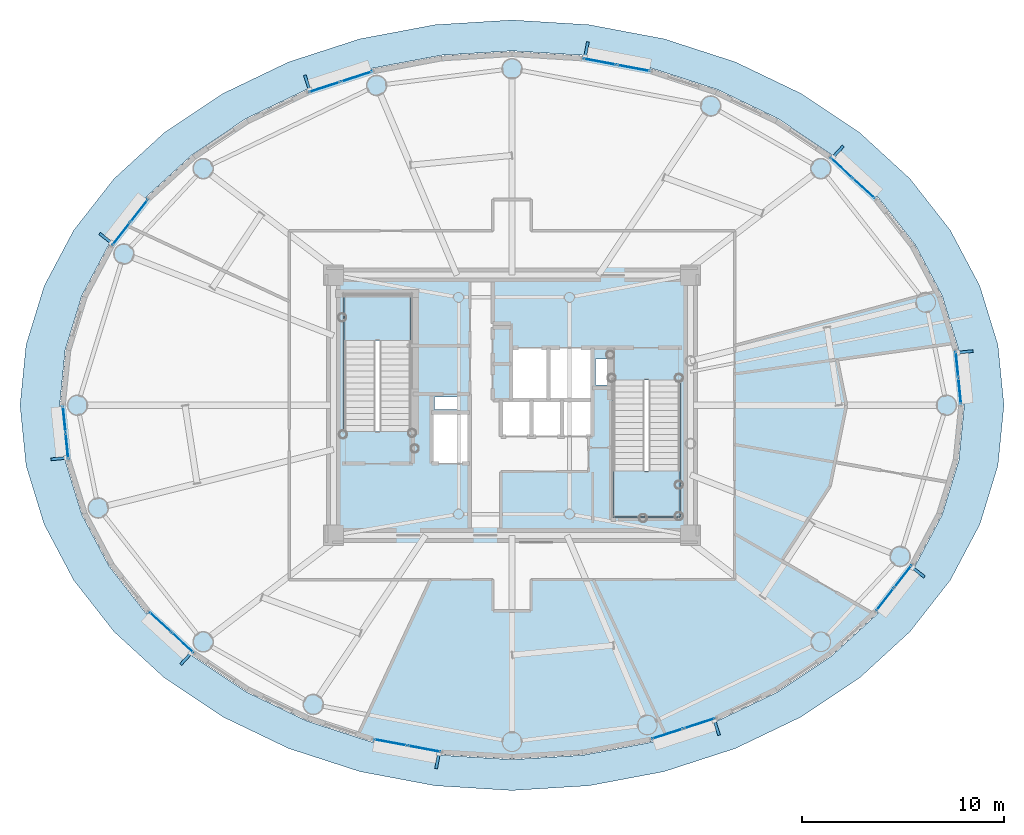
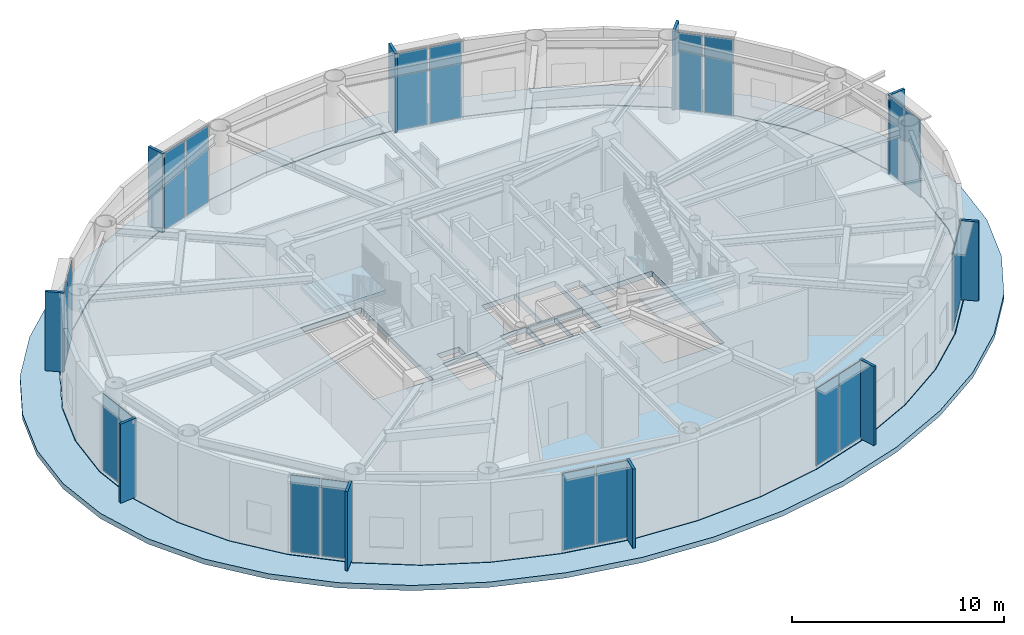
# One storey, part 20 of 32: 30 plates, 4 slabs, 12 elements without a shape of their own.
"""IFC4 building model written with IfcOpenShell, lengths in metres."""

from ifc_helpers import new_model, si_unit, direction, frame, origin, origin_2d, place, context, subcontext, project, spatial, polyline, rectangle, outline, extrude, source, transform, mapped, material, layer, layer_set, type_object, element, aggregate, save


model = new_model("IFC4")

# Units and contexts
model_context = context("Model", 3, precision=1e-05, world=origin(), true_north=direction((0.0, 1.0)))
body_context = subcontext(model_context, "Body", "Model", "MODEL_VIEW")
ifc_project = project(units=[si_unit("LENGTHUNIT", "METRE"), si_unit("AREAUNIT", "SQUARE_METRE"), si_unit("VOLUMEUNIT", "CUBIC_METRE"), si_unit("PLANEANGLEUNIT", "RADIAN"), si_unit("MASSUNIT", "GRAM", prefix="KILO")], contexts=[model_context])

# Site, building, storey
site_placement = place(None, origin())
site = spatial("IfcSite", under=ifc_project, at=site_placement, CompositionType="ELEMENT")
building_placement = place(site_placement, origin())
building = spatial("IfcBuilding", under=site, at=building_placement, Name="Linh Dai School and Residence Tower", CompositionType="ELEMENT")
storey_placement = place(building_placement, frame((0.0, 0.0, 268.199951171875)))
storey = spatial("IfcBuildingStorey", under=building, at=storey_placement, Name="L66", CompositionType="ELEMENT", Elevation=268.199951171875)

# Slabs
ifc_material_1 = material(Name="Concrete B45 (C35/45)", Category="concrete")
ifc_layer_1 = layer(ifc_material_1, 0.300048828125)
ifc_layer_set_1 = layer_set([ifc_layer_1], Name="Concrete B45 (C35/45)")
slab_type_1 = type_object("IfcSlabType", Name="SLB-FLR300", PredefinedType="FLOOR", material=ifc_layer_set_1)
slab_1_placement = place(storey_placement, frame((0.0, 0.0, -0.300048828125)))
element("IfcSlab", 1, at=slab_1_placement, inside=storey, type_object=slab_type_1, Name="L66 Composite Structural Floor Slab", PredefinedType="FLOOR", context=body_context, shape_type="SweptSolid", body=[
    extrude(outline(polyline([(58.39990234375, 27.0), (58.124267578125, 29.743896484375), (57.3037109375, 32.420166015625), (55.95849609375, 34.962890625), (54.1220703125, 37.309814453125), (51.839111328125, 39.402587890625), (49.16650390625, 41.190185546875), (46.16943359375, 42.628173828125), (42.921875, 43.681640625), (39.504150390625, 44.323974609375), (36.0, 44.5400390625), (32.495849609375, 44.323974609375), (29.078125, 43.681640625), (25.83056640625, 42.628173828125), (22.83349609375, 41.190185546875), (20.160888671875, 39.402587890625), (17.8779296875, 37.309814453125), (16.04150390625, 34.962890625), (14.6962890625, 32.420166015625), (13.875732421875, 29.743896484375), (13.60009765625, 27.0), (13.875732421875, 24.256103515625), (14.6962890625, 21.579833984375), (16.04150390625, 19.037109375), (17.8779296875, 16.690185546875), (20.160888671875, 14.597412109375), (22.83349609375, 12.809814453125), (25.83056640625, 11.371826171875), (29.078125, 10.318359375), (32.495849609375, 9.676025390625), (36.0, 9.4599609375), (39.504150390625, 9.676025390625), (42.921875, 10.318359375), (46.16943359375, 11.371826171875), (49.16650390625, 12.809814453125), (51.839111328125, 14.597412109375), (54.1220703125, 16.690185546875), (55.95849609375, 19.037109375), (57.3037109375, 21.579833984375), (58.124267578125, 24.256103515625), (58.39990234375, 27.0)]), holes=[polyline([(30.97998046875, 25.699951171875), (30.97998046875, 32.5), (27.679931640625, 32.5), (27.679931640625, 25.699951171875), (30.97998046875, 25.699951171875)]), polyline([(41.02001953125, 28.25), (41.02001953125, 21.449951171875), (44.320068359375, 21.449951171875), (44.320068359375, 28.25), (41.02001953125, 28.25)]), polyline([(35.97998046875, 27.280029296875), (37.77001953125, 27.280029296875), (37.77001953125, 29.820068359375), (35.97998046875, 29.820068359375), (35.97998046875, 27.280029296875)]), polyline([(32.030029296875, 24.1298828125), (33.8701171875, 24.1298828125), (33.8701171875, 26.6201171875), (32.030029296875, 26.6201171875), (32.030029296875, 24.1298828125)]), polyline([(37.830078125, 27.280029296875), (39.969970703125, 27.280029296875), (39.969970703125, 29.820068359375), (37.830078125, 29.820068359375), (37.830078125, 27.280029296875)]), polyline([(35.47998046875, 25.47998046875), (36.929931640625, 25.47998046875), (36.929931640625, 27.219970703125), (35.47998046875, 27.219970703125), (35.47998046875, 25.47998046875)]), polyline([(36.989990234375, 25.47998046875), (38.449951171875, 25.47998046875), (38.449951171875, 27.219970703125), (36.989990234375, 27.219970703125), (36.989990234375, 25.47998046875)]), polyline([(38.510009765625, 25.47998046875), (39.969970703125, 25.47998046875), (39.969970703125, 27.219970703125), (38.510009765625, 27.219970703125), (38.510009765625, 25.47998046875)]), polyline([(40.14990234375, 28.0), (40.14990234375, 29.300048828125), (41.0, 29.300048828125), (41.0, 28.280029296875), (40.989990234375, 28.280029296875), (40.989990234375, 28.0), (40.14990234375, 28.0)]), polyline([(32.14990234375, 26.800048828125), (33.35009765625, 26.800048828125), (33.35009765625, 27.39990234375), (32.14990234375, 27.39990234375), (32.14990234375, 26.800048828125)])]), origin(), (0.0, 0.0, 1.0), 0.300048828125),
])
ifc_layer_2 = layer(ifc_material_1, 0.300048828125)
ifc_layer_set_2 = layer_set([ifc_layer_2], Name="Concrete B45 (C35/45)")
slab_type_2 = type_object("IfcSlabType", Name="SLB-ROOF300", PredefinedType="ROOF", material=ifc_layer_set_2)
slab_2_placement = place(storey_placement, frame((0.0, 0.0, -0.300048828125)))
element("IfcSlab", 2, at=slab_2_placement, inside=storey, type_object=slab_type_2, Name="L66 Setback Step Insulated Roof Slab", PredefinedType="ROOF", context=body_context, shape_type="SweptSolid", body=[
    extrude(outline(polyline([(60.39990234375, 27.0), (60.099609375, 29.98876953125), (59.205810546875, 32.90380859375), (57.740478515625, 35.673583984375), (55.739990234375, 38.229736328125), (53.25341796875, 40.50927734375), (50.342041015625, 42.456298828125), (47.077392578125, 44.022705078125), (43.5400390625, 45.169921875), (39.81689453125, 45.869873046875), (36.0, 46.10498046875), (32.18310546875, 45.869873046875), (28.4599609375, 45.169921875), (24.922607421875, 44.022705078125), (21.657958984375, 42.456298828125), (18.74658203125, 40.50927734375), (16.260009765625, 38.229736328125), (14.259521484375, 35.673583984375), (12.794189453125, 32.90380859375), (11.900390625, 29.98876953125), (11.60009765625, 27.0), (11.900390625, 24.01123046875), (12.794189453125, 21.09619140625), (14.259521484375, 18.326416015625), (16.260009765625, 15.770263671875), (18.74658203125, 13.49072265625), (21.657958984375, 11.543701171875), (24.922607421875, 9.977294921875), (28.4599609375, 8.830078125), (32.18310546875, 8.130126953125), (36.0, 7.89501953125), (39.81689453125, 8.130126953125), (43.5400390625, 8.830078125), (47.077392578125, 9.977294921875), (50.342041015625, 11.543701171875), (53.25341796875, 13.49072265625), (55.739990234375, 15.770263671875), (57.740478515625, 18.326416015625), (59.205810546875, 21.09619140625), (60.099609375, 24.01123046875), (60.39990234375, 27.0)]), holes=[polyline([(58.429931640625, 27.0), (58.15380859375, 29.74853515625), (57.332275390625, 32.429443359375), (55.9853515625, 34.9765625), (54.146240234375, 37.327392578125), (51.8603515625, 39.423828125), (49.18408203125, 41.21435546875), (46.18310546875, 42.655029296875), (42.93115234375, 43.7099609375), (39.5087890625, 44.353759765625), (36.0, 44.570068359375), (32.4912109375, 44.353759765625), (29.06884765625, 43.7099609375), (25.81689453125, 42.655029296875), (22.81591796875, 41.21435546875), (20.1396484375, 39.423828125), (17.853759765625, 37.327392578125), (16.0146484375, 34.9765625), (14.667724609375, 32.429443359375), (13.84619140625, 29.74853515625), (13.570068359375, 27.0), (13.84619140625, 24.25146484375), (14.667724609375, 21.570556640625), (16.0146484375, 19.0234375), (17.853759765625, 16.672607421875), (20.1396484375, 14.576171875), (22.81591796875, 12.78564453125), (25.81689453125, 11.344970703125), (29.06884765625, 10.2900390625), (32.4912109375, 9.646240234375), (36.0, 9.429931640625), (39.5087890625, 9.646240234375), (42.93115234375, 10.2900390625), (46.18310546875, 11.344970703125), (49.18408203125, 12.78564453125), (51.8603515625, 14.576171875), (54.146240234375, 16.672607421875), (55.9853515625, 19.0234375), (57.332275390625, 21.570556640625), (58.15380859375, 24.25146484375), (58.429931640625, 27.0)])]), origin(), (0.0, 0.0, 1.0), 0.300048828125),
])

# Stair, slab
stair_type = type_object("IfcStairType", Name="ST-DOG-1550-R1500", PredefinedType="HALF_TURN_STAIR", material=ifc_material_1)
stair_1_placement = place(storey_placement, origin())
stair_1 = element("IfcStair", 3, at=stair_1_placement, inside=storey, type_object=stair_type, Name="L66 Core Smokeproof Exit Stair ST1", PredefinedType="HALF_TURN_STAIR")
ifc_layer_3 = layer(ifc_material_1, 0.199951171875)
ifc_layer_set_3 = layer_set([ifc_layer_3], Name="Concrete B45 (C35/45)")
slab_type_3 = type_object("IfcSlabType", Name="SLB-ST-LANDING-200", PredefinedType="LANDING", material=ifc_layer_set_3)
slab_3_placement = place(storey_placement, frame((0.0, 0.0, 2.199951171875)))
slab_3 = element("IfcSlab", 4, at=slab_3_placement, type_object=slab_type_3, Name="ST1 landing 1", PredefinedType="LANDING", context=body_context, shape_type="SweptSolid", body=[
    extrude(outline(polyline([(30.97998046875, 30.199951171875), (30.97998046875, 32.5), (27.679931640625, 32.5), (27.679931640625, 30.199951171875), (30.97998046875, 30.199951171875)])), origin(), (0.0, 0.0, 1.0), 0.2001953125),
])
aggregate(stair_1, [slab_3])

stair_2_placement = place(storey_placement, origin())
stair_2 = element("IfcStair", 5, at=stair_2_placement, inside=storey, type_object=stair_type, Name="L66 Core Smokeproof Exit Stair ST2", PredefinedType="HALF_TURN_STAIR")
slab_4_placement = place(storey_placement, frame((0.0, 0.0, 2.199951171875)))
slab_4 = element("IfcSlab", 6, at=slab_4_placement, type_object=slab_type_3, Name="ST2 landing 1", PredefinedType="LANDING", context=body_context, shape_type="SweptSolid", body=[
    extrude(outline(polyline([(41.02001953125, 23.75), (41.02001953125, 21.449951171875), (44.320068359375, 21.449951171875), (44.320068359375, 23.75), (41.02001953125, 23.75)])), origin(), (0.0, 0.0, 1.0), 0.2001953125),
])
aggregate(stair_2, [slab_4])

# Plates
ifc_material_2 = material(Name="Precast Concrete B45 (C35/45)", Category="concrete")
ifc_layer_4 = layer(ifc_material_2, 0.139892578125)
ifc_layer_set_4 = layer_set([ifc_layer_4], Name="Precast Concrete B45 (C35/45)")
plate_type_1 = type_object("IfcPlateType", Name="FIN-TC-900x140", PredefinedType="USERDEFINED", material=ifc_layer_set_4)
shared_shape_1 = source(origin(), body_context, "Body", "SweptSolid", [
    extrude(rectangle(XDim=0.89990234375, YDim=0.139892578125, at=origin_2d()), origin(), (0.0, 0.0, 1.0), 4.550048828125),
])
for number, where, z_axis, x_axis, name in (
    (7, (58.421630859375, 29.640625, 0.0), (0.0, 0.0, 1.0), (0.994986629598, 0.100008034283, 0.0), "L66 Precast Terracotta Radial Fin 01"),
    (8, (52.127685546875, 39.525390625, 0.0), (0.0, 0.0, 1.0), (0.67577730889, 0.737105846394, 0.0), "L66 Precast Terracotta Radial Fin 05"),
    (9, (39.682373046875, 44.580810546875, 0.0), (0.0, 0.0, 1.0), (0.184751197452, 0.982785325002, 0.0), "L66 Precast Terracotta Radial Fin 09"),
    (10, (25.864501953125, 42.939208984375, 0.0), (0.0, 0.0, 1.0), (-0.308518805176, 0.951218243545, 0.0), "L66 Precast Terracotta Radial Fin 13"),
    (11, (15.897216796875, 35.241943359375, 0.0), (0.0, 0.0, 1.0), (-0.78750300393, 0.616310813471, 0.0), "L66 Precast Terracotta Radial Fin 17"),
    (12, (13.578369140625, 24.359375, 0.0), (0.0, 0.0, 1.0), (-0.994986629598, -0.100008034283, 0.0), "L66 Precast Terracotta Radial Fin 21"),
    (13, (19.872314453125, 14.474609375, 0.0), (0.0, 0.0, 1.0), (-0.675779074535, -0.737104227651, 0.0), "L66 Precast Terracotta Radial Fin 25"),
    (14, (32.317626953125, 9.419189453125, 0.0), (0.0, 0.0, 1.0), (-0.184751197452, -0.982785325002, 0.0), "L66 Precast Terracotta Radial Fin 29"),
    (15, (46.135498046875, 11.060791015625, 0.0), (0.0, 0.0, 1.0), (0.308518805176, -0.951218243545, 0.0), "L66 Precast Terracotta Radial Fin 33"),
    (16, (56.102783203125, 18.758056640625, 0.0), (0.0, 0.0, 1.0), (0.78750300393, -0.616310813471, 0.0), "L66 Precast Terracotta Radial Fin 37"),
):
    element("IfcPlate", number, at=place(storey_placement, frame(where, z_axis=z_axis, x_axis=x_axis)), inside=storey, type_object=plate_type_1, Name=name, ObjectType="RADIAL FIN", PredefinedType="USERDEFINED", context=body_context, shape_type="MappedRepresentation", body=[
        mapped(shared_shape_1, transform((0.0, 0.0, 0.0), x_axis=(1.0, 0.0, 0.0), y_axis=(0.0, 1.0, 0.0), z_axis=(0.0, 0.0, 1.0), scale=1.0)),
    ])

# Curtain wall, plates
ifc_material_3 = material(Name="Aluminium Anodised Curtain Wall", Category="aluminium")
ifc_layer_5 = layer(ifc_material_3, 0.18994140625)
ifc_layer_set_5 = layer_set([ifc_layer_5], Name="Aluminium Anodised Curtain Wall")
curtain_wall_type = type_object("IfcCurtainWallType", Name="CW-SYS-5", PredefinedType="USERDEFINED", material=ifc_layer_set_5)
curtain_wall_1_placement = place(storey_placement, origin())
curtain_wall_1 = element("IfcCurtainWall", 17, at=curtain_wall_1_placement, inside=storey, type_object=curtain_wall_type, Name="L66 CW5 Curtain Wall 01", ObjectType="UNITISED CURTAIN WALL", PredefinedType="USERDEFINED")
ifc_material_4 = material(Name="Double Low-E Insulated Glazing", Category="glass")
ifc_layer_6 = layer(ifc_material_4, 0.033935546875)
ifc_layer_set_6 = layer_set([ifc_layer_6], Name="Double Low-E Insulated Glazing")
plate_type_2 = type_object("IfcPlateType", Name="CW-SYS-5-PAN", PredefinedType="CURTAIN_PANEL", material=ifc_layer_set_6)
shared_shape_2 = source(origin(), body_context, "Body", "SweptSolid", [
    extrude(rectangle(XDim=1.261474609375, YDim=0.033935546875, at=origin_2d()), origin(), (0.0, 0.0, 1.0), 4.409912109375),
])
plate_1_placement = place(storey_placement, frame((58.07177734375, 29.02197265625, 0.0703125), z_axis=(0.0, 0.0, 1.0), x_axis=(0.100008034283, -0.994986629598, 0.0)))
plate_1 = element("IfcPlate", 18, at=plate_1_placement, type_object=plate_type_2, Name="CW5 panel 1.1", PredefinedType="CURTAIN_PANEL", context=body_context, shape_type="MappedRepresentation", body=[
    mapped(shared_shape_2, transform((0.0, 0.0, 0.0), x_axis=(1.0, 0.0, 0.0), y_axis=(0.0, 1.0, 0.0), z_axis=(0.0, 0.0, 1.0), scale=1.0)),
])
plate_2_placement = place(storey_placement, frame((58.204833984375, 27.697265625, 0.0703125), z_axis=(0.0, 0.0, 1.0), x_axis=(0.100008034283, -0.994986629598, 0.0)))
plate_2 = element("IfcPlate", 19, at=plate_2_placement, type_object=plate_type_2, Name="CW5 panel 2.1", PredefinedType="CURTAIN_PANEL", context=body_context, shape_type="MappedRepresentation", body=[
    mapped(shared_shape_2, transform((0.0, 0.0, 0.0), x_axis=(1.0, 0.0, 0.0), y_axis=(0.0, 1.0, 0.0), z_axis=(0.0, 0.0, 1.0), scale=1.0)),
])
aggregate(curtain_wall_1, [plate_1, plate_2])

curtain_wall_2_placement = place(storey_placement, origin())
curtain_wall_2 = element("IfcCurtainWall", 20, at=curtain_wall_2_placement, inside=storey, type_object=curtain_wall_type, Name="L66 CW5 Curtain Wall 21", ObjectType="UNITISED CURTAIN WALL", PredefinedType="USERDEFINED")
plate_3_placement = place(storey_placement, frame((13.92822265625, 24.97802734375, 0.0703125), z_axis=(0.0, 0.0, 1.0), x_axis=(-0.100008034283, 0.994986629598, 0.0)))
plate_3 = element("IfcPlate", 21, at=plate_3_placement, type_object=plate_type_2, Name="CW5 panel 1.1", PredefinedType="CURTAIN_PANEL", context=body_context, shape_type="MappedRepresentation", body=[
    mapped(shared_shape_2, transform((0.0, 0.0, 0.0), x_axis=(1.0, 0.0, 0.0), y_axis=(0.0, 1.0, 0.0), z_axis=(0.0, 0.0, 1.0), scale=1.0)),
])
plate_4_placement = place(storey_placement, frame((13.795166015625, 26.302734375, 0.0703125), z_axis=(0.0, 0.0, 1.0), x_axis=(-0.100008034283, 0.994986629598, 0.0)))
plate_4 = element("IfcPlate", 22, at=plate_4_placement, type_object=plate_type_2, Name="CW5 panel 2.1", PredefinedType="CURTAIN_PANEL", context=body_context, shape_type="MappedRepresentation", body=[
    mapped(shared_shape_2, transform((0.0, 0.0, 0.0), x_axis=(1.0, 0.0, 0.0), y_axis=(0.0, 1.0, 0.0), z_axis=(0.0, 0.0, 1.0), scale=1.0)),
])
aggregate(curtain_wall_2, [plate_3, plate_4])

curtain_wall_3_placement = place(storey_placement, origin())
curtain_wall_3 = element("IfcCurtainWall", 23, at=curtain_wall_3_placement, inside=storey, type_object=curtain_wall_type, Name="L66 CW5 Curtain Wall 05", ObjectType="UNITISED CURTAIN WALL", PredefinedType="USERDEFINED")
shared_shape_3 = source(origin(), body_context, "Body", "SweptSolid", [
    extrude(rectangle(XDim=1.43359375, YDim=0.033935546875, at=origin_2d()), origin(), (0.0, 0.0, 1.0), 4.409912109375),
])
plate_5_placement = place(storey_placement, frame((52.342041015625, 38.7724609375, 0.0703125), z_axis=(0.0, 0.0, 1.0), x_axis=(0.737105846394, -0.67577730889, 0.0)))
plate_5 = element("IfcPlate", 24, at=plate_5_placement, type_object=plate_type_2, Name="CW5 panel 1.1", PredefinedType="CURTAIN_PANEL", context=body_context, shape_type="MappedRepresentation", body=[
    mapped(shared_shape_3, transform((0.0, 0.0, 0.0), x_axis=(1.0, 0.0, 0.0), y_axis=(0.0, 1.0, 0.0), z_axis=(0.0, 0.0, 1.0), scale=1.0)),
])
plate_6_placement = place(storey_placement, frame((53.450439453125, 37.75634765625, 0.0703125), z_axis=(0.0, 0.0, 1.0), x_axis=(0.737105846394, -0.67577730889, 0.0)))
plate_6 = element("IfcPlate", 25, at=plate_6_placement, type_object=plate_type_2, Name="CW5 panel 2.1", PredefinedType="CURTAIN_PANEL", context=body_context, shape_type="MappedRepresentation", body=[
    mapped(shared_shape_3, transform((0.0, 0.0, 0.0), x_axis=(1.0, 0.0, 0.0), y_axis=(0.0, 1.0, 0.0), z_axis=(0.0, 0.0, 1.0), scale=1.0)),
])
aggregate(curtain_wall_3, [plate_5, plate_6])

curtain_wall_4_placement = place(storey_placement, origin())
curtain_wall_4 = element("IfcCurtainWall", 26, at=curtain_wall_4_placement, inside=storey, type_object=curtain_wall_type, Name="L66 CW5 Curtain Wall 25", ObjectType="UNITISED CURTAIN WALL", PredefinedType="USERDEFINED")
plate_7_placement = place(storey_placement, frame((19.657958984375, 15.2275390625, 0.0703125), z_axis=(0.0, 0.0, 1.0), x_axis=(-0.737104227651, 0.675779074535, 0.0)))
plate_7 = element("IfcPlate", 27, at=plate_7_placement, type_object=plate_type_2, Name="CW5 panel 1.1", PredefinedType="CURTAIN_PANEL", context=body_context, shape_type="MappedRepresentation", body=[
    mapped(shared_shape_3, transform((0.0, 0.0, 0.0), x_axis=(1.0, 0.0, 0.0), y_axis=(0.0, 1.0, 0.0), z_axis=(0.0, 0.0, 1.0), scale=1.0)),
])
plate_8_placement = place(storey_placement, frame((18.549560546875, 16.24365234375, 0.0703125), z_axis=(0.0, 0.0, 1.0), x_axis=(-0.737104227651, 0.675779074535, 0.0)))
plate_8 = element("IfcPlate", 28, at=plate_8_placement, type_object=plate_type_2, Name="CW5 panel 2.1", PredefinedType="CURTAIN_PANEL", context=body_context, shape_type="MappedRepresentation", body=[
    mapped(shared_shape_3, transform((0.0, 0.0, 0.0), x_axis=(1.0, 0.0, 0.0), y_axis=(0.0, 1.0, 0.0), z_axis=(0.0, 0.0, 1.0), scale=1.0)),
])
aggregate(curtain_wall_4, [plate_7, plate_8])

curtain_wall_5_placement = place(storey_placement, origin())
curtain_wall_5 = element("IfcCurtainWall", 29, at=curtain_wall_5_placement, inside=storey, type_object=curtain_wall_type, Name="L66 CW5 Curtain Wall 09", ObjectType="UNITISED CURTAIN WALL", PredefinedType="USERDEFINED")
shared_shape_4 = source(origin(), body_context, "Body", "SweptSolid", [
    extrude(rectangle(XDim=1.6259765625, YDim=0.033935546875, at=origin_2d()), origin(), (0.0, 0.0, 1.0), 4.409912109375),
])
plate_9_placement = place(storey_placement, frame((40.3564453125, 44.036865234375, 0.0703125), z_axis=(0.0, 0.0, 1.0), x_axis=(0.982785325002, -0.184751197452, 0.0)))
plate_9 = element("IfcPlate", 30, at=plate_9_placement, type_object=plate_type_2, Name="CW5 panel 1.1", PredefinedType="CURTAIN_PANEL", context=body_context, shape_type="MappedRepresentation", body=[
    mapped(shared_shape_4, transform((0.0, 0.0, 0.0), x_axis=(1.0, 0.0, 0.0), y_axis=(0.0, 1.0, 0.0), z_axis=(0.0, 0.0, 1.0), scale=1.0)),
])
plate_10_placement = place(storey_placement, frame((42.0234375, 43.7236328125, 0.0703125), z_axis=(0.0, 0.0, 1.0), x_axis=(0.982785325002, -0.184751197452, 0.0)))
plate_10 = element("IfcPlate", 31, at=plate_10_placement, type_object=plate_type_2, Name="CW5 panel 2.1", PredefinedType="CURTAIN_PANEL", context=body_context, shape_type="MappedRepresentation", body=[
    mapped(shared_shape_4, transform((0.0, 0.0, 0.0), x_axis=(1.0, 0.0, 0.0), y_axis=(0.0, 1.0, 0.0), z_axis=(0.0, 0.0, 1.0), scale=1.0)),
])
aggregate(curtain_wall_5, [plate_9, plate_10])

curtain_wall_6_placement = place(storey_placement, origin())
curtain_wall_6 = element("IfcCurtainWall", 32, at=curtain_wall_6_placement, inside=storey, type_object=curtain_wall_type, Name="L66 CW5 Curtain Wall 29", ObjectType="UNITISED CURTAIN WALL", PredefinedType="USERDEFINED")
plate_11_placement = place(storey_placement, frame((31.6435546875, 9.963134765625, 0.0703125), z_axis=(0.0, 0.0, 1.0), x_axis=(-0.982785325002, 0.184751197452, 0.0)))
plate_11 = element("IfcPlate", 33, at=plate_11_placement, type_object=plate_type_2, Name="CW5 panel 1.1", PredefinedType="CURTAIN_PANEL", context=body_context, shape_type="MappedRepresentation", body=[
    mapped(shared_shape_4, transform((0.0, 0.0, 0.0), x_axis=(1.0, 0.0, 0.0), y_axis=(0.0, 1.0, 0.0), z_axis=(0.0, 0.0, 1.0), scale=1.0)),
])
plate_12_placement = place(storey_placement, frame((29.9765625, 10.2763671875, 0.0703125), z_axis=(0.0, 0.0, 1.0), x_axis=(-0.982785325002, 0.184751197452, 0.0)))
plate_12 = element("IfcPlate", 34, at=plate_12_placement, type_object=plate_type_2, Name="CW5 panel 2.1", PredefinedType="CURTAIN_PANEL", context=body_context, shape_type="MappedRepresentation", body=[
    mapped(shared_shape_4, transform((0.0, 0.0, 0.0), x_axis=(1.0, 0.0, 0.0), y_axis=(0.0, 1.0, 0.0), z_axis=(0.0, 0.0, 1.0), scale=1.0)),
])
aggregate(curtain_wall_6, [plate_11, plate_12])

curtain_wall_7_placement = place(storey_placement, origin())
curtain_wall_7 = element("IfcCurtainWall", 35, at=curtain_wall_7_placement, inside=storey, type_object=curtain_wall_type, Name="L66 CW5 Curtain Wall 13", ObjectType="UNITISED CURTAIN WALL", PredefinedType="USERDEFINED")
shared_shape_5 = source(origin(), body_context, "Body", "SweptSolid", [
    extrude(rectangle(XDim=1.59375, YDim=0.033935546875, at=origin_2d()), origin(), (0.0, 0.0, 1.0), 4.409912109375),
])
plate_13_placement = place(storey_placement, frame((26.70166015625, 42.779541015625, 0.0703125), z_axis=(0.0, 0.0, 1.0), x_axis=(0.951218243545, 0.308518805176, 0.0)))
plate_13 = element("IfcPlate", 36, at=plate_13_placement, type_object=plate_type_2, Name="CW5 panel 1.1", PredefinedType="CURTAIN_PANEL", context=body_context, shape_type="MappedRepresentation", body=[
    mapped(shared_shape_5, transform((0.0, 0.0, 0.0), x_axis=(1.0, 0.0, 0.0), y_axis=(0.0, 1.0, 0.0), z_axis=(0.0, 0.0, 1.0), scale=1.0)),
])
plate_14_placement = place(storey_placement, frame((28.2841796875, 43.29296875, 0.0703125), z_axis=(0.0, 0.0, 1.0), x_axis=(0.951218243545, 0.308518805176, 0.0)))
plate_14 = element("IfcPlate", 37, at=plate_14_placement, type_object=plate_type_2, Name="CW5 panel 2.1", PredefinedType="CURTAIN_PANEL", context=body_context, shape_type="MappedRepresentation", body=[
    mapped(shared_shape_5, transform((0.0, 0.0, 0.0), x_axis=(1.0, 0.0, 0.0), y_axis=(0.0, 1.0, 0.0), z_axis=(0.0, 0.0, 1.0), scale=1.0)),
])
aggregate(curtain_wall_7, [plate_13, plate_14])

curtain_wall_8_placement = place(storey_placement, origin())
curtain_wall_8 = element("IfcCurtainWall", 38, at=curtain_wall_8_placement, inside=storey, type_object=curtain_wall_type, Name="L66 CW5 Curtain Wall 33", ObjectType="UNITISED CURTAIN WALL", PredefinedType="USERDEFINED")
plate_15_placement = place(storey_placement, frame((45.29833984375, 11.220458984375, 0.0703125), z_axis=(0.0, 0.0, 1.0), x_axis=(-0.951218243545, -0.308518805176, 0.0)))
plate_15 = element("IfcPlate", 39, at=plate_15_placement, type_object=plate_type_2, Name="CW5 panel 1.1", PredefinedType="CURTAIN_PANEL", context=body_context, shape_type="MappedRepresentation", body=[
    mapped(shared_shape_5, transform((0.0, 0.0, 0.0), x_axis=(1.0, 0.0, 0.0), y_axis=(0.0, 1.0, 0.0), z_axis=(0.0, 0.0, 1.0), scale=1.0)),
])
plate_16_placement = place(storey_placement, frame((43.7158203125, 10.70703125, 0.0703125), z_axis=(0.0, 0.0, 1.0), x_axis=(-0.951218243545, -0.308518805176, 0.0)))
plate_16 = element("IfcPlate", 40, at=plate_16_placement, type_object=plate_type_2, Name="CW5 panel 2.1", PredefinedType="CURTAIN_PANEL", context=body_context, shape_type="MappedRepresentation", body=[
    mapped(shared_shape_5, transform((0.0, 0.0, 0.0), x_axis=(1.0, 0.0, 0.0), y_axis=(0.0, 1.0, 0.0), z_axis=(0.0, 0.0, 1.0), scale=1.0)),
])
aggregate(curtain_wall_8, [plate_15, plate_16])

curtain_wall_9_placement = place(storey_placement, origin())
curtain_wall_9 = element("IfcCurtainWall", 41, at=curtain_wall_9_placement, inside=storey, type_object=curtain_wall_type, Name="L66 CW5 Curtain Wall 17", ObjectType="UNITISED CURTAIN WALL", PredefinedType="USERDEFINED")
shared_shape_6 = source(origin(), body_context, "Body", "SweptSolid", [
    extrude(rectangle(XDim=1.374267578125, YDim=0.033935546875, at=origin_2d()), origin(), (0.0, 0.0, 1.0), 4.409912109375),
])
plate_17_placement = place(storey_placement, frame((16.61279296875, 35.490966796875, 0.0703125), z_axis=(0.0, 0.0, 1.0), x_axis=(0.616310813471, 0.78750300393, 0.0)))
plate_17 = element("IfcPlate", 42, at=plate_17_placement, type_object=plate_type_2, Name="CW5 panel 1.1", PredefinedType="CURTAIN_PANEL", context=body_context, shape_type="MappedRepresentation", body=[
    mapped(shared_shape_6, transform((0.0, 0.0, 0.0), x_axis=(1.0, 0.0, 0.0), y_axis=(0.0, 1.0, 0.0), z_axis=(0.0, 0.0, 1.0), scale=1.0)),
])
plate_18_placement = place(storey_placement, frame((17.5029296875, 36.62841796875, 0.0703125), z_axis=(0.0, 0.0, 1.0), x_axis=(0.616310813471, 0.78750300393, 0.0)))
plate_18 = element("IfcPlate", 43, at=plate_18_placement, type_object=plate_type_2, Name="CW5 panel 2.1", PredefinedType="CURTAIN_PANEL", context=body_context, shape_type="MappedRepresentation", body=[
    mapped(shared_shape_6, transform((0.0, 0.0, 0.0), x_axis=(1.0, 0.0, 0.0), y_axis=(0.0, 1.0, 0.0), z_axis=(0.0, 0.0, 1.0), scale=1.0)),
])
aggregate(curtain_wall_9, [plate_17, plate_18])

curtain_wall_10_placement = place(storey_placement, origin())
curtain_wall_10 = element("IfcCurtainWall", 44, at=curtain_wall_10_placement, inside=storey, type_object=curtain_wall_type, Name="L66 CW5 Curtain Wall 37", ObjectType="UNITISED CURTAIN WALL", PredefinedType="USERDEFINED")
plate_19_placement = place(storey_placement, frame((55.38720703125, 18.509033203125, 0.0703125), z_axis=(0.0, 0.0, 1.0), x_axis=(-0.616310813471, -0.78750300393, 0.0)))
plate_19 = element("IfcPlate", 45, at=plate_19_placement, type_object=plate_type_2, Name="CW5 panel 1.1", PredefinedType="CURTAIN_PANEL", context=body_context, shape_type="MappedRepresentation", body=[
    mapped(shared_shape_6, transform((0.0, 0.0, 0.0), x_axis=(1.0, 0.0, 0.0), y_axis=(0.0, 1.0, 0.0), z_axis=(0.0, 0.0, 1.0), scale=1.0)),
])
plate_20_placement = place(storey_placement, frame((54.4970703125, 17.37158203125, 0.0703125), z_axis=(0.0, 0.0, 1.0), x_axis=(-0.616310813471, -0.78750300393, 0.0)))
plate_20 = element("IfcPlate", 46, at=plate_20_placement, type_object=plate_type_2, Name="CW5 panel 2.1", PredefinedType="CURTAIN_PANEL", context=body_context, shape_type="MappedRepresentation", body=[
    mapped(shared_shape_6, transform((0.0, 0.0, 0.0), x_axis=(1.0, 0.0, 0.0), y_axis=(0.0, 1.0, 0.0), z_axis=(0.0, 0.0, 1.0), scale=1.0)),
])
aggregate(curtain_wall_10, [plate_19, plate_20])

save(model, "model.ifc")
